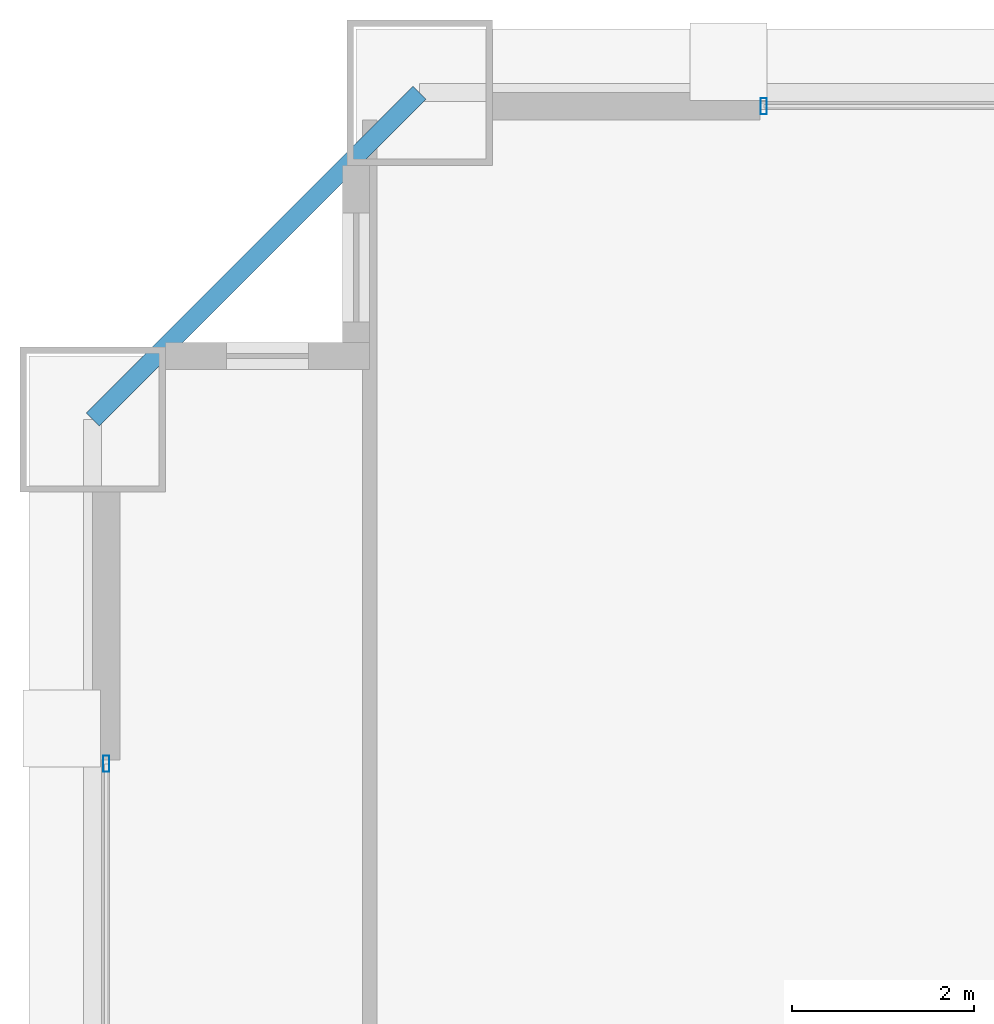
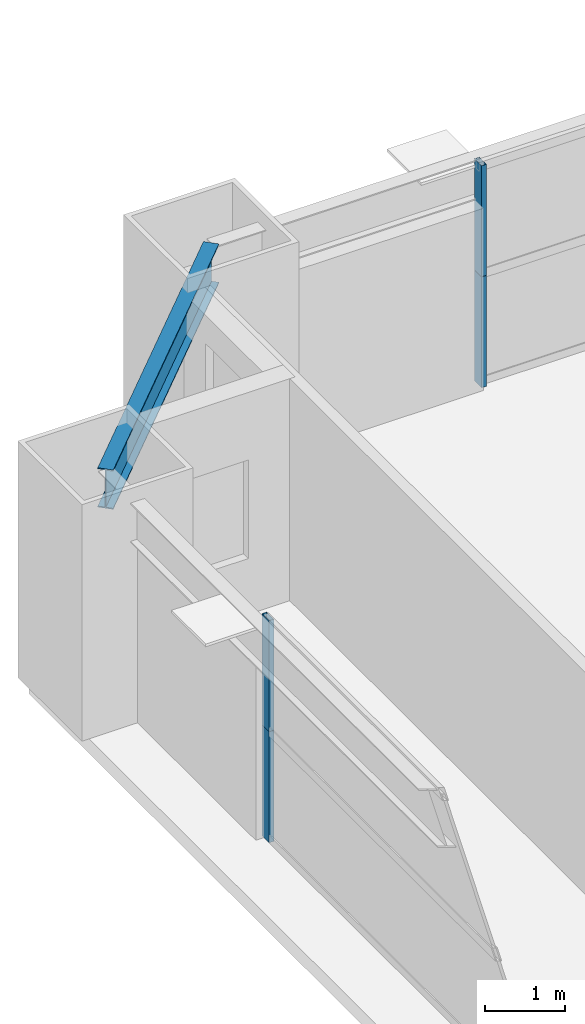
# One storey, part 23 of 39: 4 members, 1 beam, 2 elements without a shape of their own.
"""IFC4 building model written with IfcOpenShell, lengths in metres."""

import ifcopenshell
import ifcopenshell.guid

model = None  # the IFC model being written
_history = None  # IfcOwnerHistory: only IFC2X3 demands one
_inside = {}  # id of a spatial element -> (the spatial element, [elements in it])
_under = {}  # id of a project, library or spatial element -> (it, [spatial elements below it])
_declared = {}  # id of a project -> (the project, [libraries it declares])
_typed = {}  # id of a type object -> (the type object, [elements of that type])
_made_of = {}  # id of a material, layer set ... -> (it, [elements and type objects made of it])


def new_model(schema):
    """Start an empty IFC model of exactly this schema.

    Asked for "IFC4X3", IfcOpenShell would pick the latest addendum, in which some entities
    have other attributes; the version numbers below select the first issue.
    IFC2X3 requires an IfcOwnerHistory on every rooted entity: one is made here for all.
    """
    global model, _history
    if schema == "IFC4X3":
        model = ifcopenshell.file(schema_version=(4, 3, 0, 0))
    else:
        model = ifcopenshell.file(schema=schema)
    _inside.clear()
    _under.clear()
    _declared.clear()
    _typed.clear()
    _made_of.clear()
    _history = None
    if model.schema == "IFC2X3":
        org = make("IfcOrganization", Name="unknown")
        user = make(
            "IfcPersonAndOrganization",
            ThePerson=make("IfcPerson", FamilyName="unknown"),
            TheOrganization=org,
        )
        app = make(
            "IfcApplication",
            ApplicationDeveloper=org,
            Version="unknown",
            ApplicationFullName="unknown",
            ApplicationIdentifier="unknown",
        )
        _history = make(
            "IfcOwnerHistory",
            OwningUser=user,
            OwningApplication=app,
            ChangeAction="ADDED",
            CreationDate=0,
        )
    return model


def make(cls, **values):
    """One entity of the class cls with the attributes given. An attribute that is None is left unset."""
    return model.create_entity(
        cls, **{name: value for name, value in values.items() if value is not None}
    )


def rooted(cls, **values):
    """An entity with a GlobalId (a new one), such as an element, a storey or a relation."""
    return make(cls, GlobalId=ifcopenshell.guid.new(), OwnerHistory=_history, **values)


def si_unit(unit_type, name, prefix=None):
    """IfcSIUnit, for example si_unit("LENGTHUNIT", "METRE", prefix="MILLI")."""
    return make("IfcSIUnit", UnitType=unit_type, Prefix=prefix, Name=name)


def assignment(units):
    """IfcUnitAssignment: the units of a project."""
    return None if units is None else make("IfcUnitAssignment", Units=units)


def point(xyz):
    """IfcCartesianPoint."""
    return None if xyz is None else make("IfcCartesianPoint", Coordinates=xyz)


def direction(xyz):
    """IfcDirection."""
    return None if xyz is None else make("IfcDirection", DirectionRatios=xyz)


def frame(location, z_axis=None, x_axis=None):
    """IfcAxis2Placement3D, a coordinate frame: its origin and axes. An axis left out is left unset."""
    return make(
        "IfcAxis2Placement3D",
        Location=point(location),
        Axis=direction(z_axis),
        RefDirection=direction(x_axis),
    )


def frame_2d(location, x_axis=None):
    """IfcAxis2Placement2D, a coordinate frame in the plane: its origin and x axis."""
    return make(
        "IfcAxis2Placement2D", Location=point(location), RefDirection=direction(x_axis)
    )


def origin():
    """The frame at (0, 0, 0) with its axes left unset."""
    return frame((0.0, 0.0, 0.0))


def origin_2d():
    """The frame at (0, 0) in the plane with its x axis left unset."""
    return frame_2d((0.0, 0.0))


def place(relative_to, where):
    """IfcLocalPlacement: puts the frame where relative to a parent placement (None: the world)."""
    return make(
        "IfcLocalPlacement", PlacementRelTo=relative_to, RelativePlacement=where
    )


def context(
    kind, dimensions, precision=None, world=None, true_north=None, identifier=None
):
    """IfcGeometricRepresentationContext, for example the 3D "Model" context."""
    return make(
        "IfcGeometricRepresentationContext",
        ContextIdentifier=identifier,
        ContextType=kind,
        CoordinateSpaceDimension=dimensions,
        Precision=precision,
        WorldCoordinateSystem=world,
        TrueNorth=true_north,
    )


def subcontext(parent, identifier, kind, view, scale=None):
    """IfcGeometricRepresentationSubContext, for example "Body" below "Model"."""
    return make(
        "IfcGeometricRepresentationSubContext",
        ContextIdentifier=identifier,
        ContextType=kind,
        ParentContext=parent,
        TargetScale=scale,
        TargetView=view,
    )


def project(units=None, contexts=None):
    """IfcProject with its units and contexts."""
    return rooted(
        "IfcProject",
        Name="project",
        RepresentationContexts=contexts,
        UnitsInContext=assignment(units),
    )


def spatial(cls, under=None, at=None, **own):
    """A site, building, storey or space (cls), placed at a placement, below another one or the project."""
    s = rooted(cls, ObjectPlacement=at, **own)
    if under is not None:
        _under.setdefault(under.id(), (under, []))[1].append(s)
    return s


def profile(cls, at=None, kind="AREA", **sizes):
    """A parametric profile (cls). Its sizes go by their IFC names, for example OverallWidth=200.0."""
    return make(cls, ProfileType=kind, Position=at, **sizes)


def hollow_rectangle(**sizes):
    """IfcRectangleHollowProfileDef."""
    return profile("IfcRectangleHollowProfileDef", **sizes)


def i_section(**sizes):
    """IfcIShapeProfileDef."""
    return profile("IfcIShapeProfileDef", **sizes)


def extrude(swept, where, along, depth):
    """IfcExtrudedAreaSolid: the profile swept, set in the frame where, extruded along a direction by depth."""
    return make(
        "IfcExtrudedAreaSolid",
        SweptArea=swept,
        Position=where,
        ExtrudedDirection=direction(along),
        Depth=depth,
    )


def shape(context_of_items, identifier, shape_type, items):
    """IfcShapeRepresentation: the items that make up one representation, for example the "Body"."""
    return make(
        "IfcShapeRepresentation",
        ContextOfItems=context_of_items,
        RepresentationIdentifier=identifier,
        RepresentationType=shape_type,
        Items=items,
    )


def source(mapping_origin, context_of_items, identifier, shape_type, items):
    """IfcRepresentationMap: a shape defined once, which mapped items show again and again."""
    return make(
        "IfcRepresentationMap",
        MappingOrigin=mapping_origin,
        MappedRepresentation=shape(context_of_items, identifier, shape_type, items),
    )


def transform(
    local_origin,
    x_axis=None,
    y_axis=None,
    z_axis=None,
    scale=None,
    scale2=None,
    scale3=None,
    uniform=True,
):
    """IfcCartesianTransformationOperator3D, or its non-uniform kind. x_axis, y_axis, z_axis: its Axis1, 2, 3."""
    if uniform:
        return make(
            "IfcCartesianTransformationOperator3D",
            Axis1=direction(x_axis),
            Axis2=direction(y_axis),
            LocalOrigin=point(local_origin),
            Scale=scale,
            Axis3=direction(z_axis),
        )
    return make(
        "IfcCartesianTransformationOperator3DnonUniform",
        Axis1=direction(x_axis),
        Axis2=direction(y_axis),
        LocalOrigin=point(local_origin),
        Scale=scale,
        Axis3=direction(z_axis),
        Scale2=scale2,
        Scale3=scale3,
    )


def mapped(mapping_source, mapping_target):
    """IfcMappedItem: shows the shape of a source again, moved by a transform."""
    return make(
        "IfcMappedItem", MappingSource=mapping_source, MappingTarget=mapping_target
    )


def material(Name=None, Category=None):
    """IfcMaterial."""
    return make("IfcMaterial", Name=Name, Category=Category)


def layer(
    of_material, thickness, ventilated=None, Name=None, Category=None, Priority=None
):
    """IfcMaterialLayer: one layer of a wall or slab, of a material (None: an air gap)."""
    return make(
        "IfcMaterialLayer",
        Material=of_material,
        LayerThickness=thickness,
        IsVentilated=ventilated,
        Name=Name,
        Category=Category,
        Priority=Priority,
    )


def layer_set(layers, Name=None):
    """IfcMaterialLayerSet."""
    return make("IfcMaterialLayerSet", MaterialLayers=layers, LayerSetName=Name)


def material_profile(
    of_material, cross_section, Name=None, Category=None, Priority=None
):
    """IfcMaterialProfile: a cross section and its material."""
    return make(
        "IfcMaterialProfile",
        Name=Name,
        Material=of_material,
        Profile=cross_section,
        Priority=Priority,
        Category=Category,
    )


def profile_set(profiles, Name=None, composite=None):
    """IfcMaterialProfileSet."""
    return make(
        "IfcMaterialProfileSet",
        Name=Name,
        MaterialProfiles=profiles,
        CompositeProfile=composite,
    )


def made_of(thing, what):
    """Note that an element or type object is made of a material, layer set ...; save() writes the relation."""
    if what is not None:
        _made_of.setdefault(what.id(), (what, []))[1].append(thing)
    return thing


def type_object(cls, material=None, **own):
    """A type object (cls), such as IfcWallType, which elements share."""
    return made_of(rooted(cls, **own), material)


def element(
    cls,
    number,
    at=None,
    inside=None,
    cuts=None,
    type_object=None,
    material=None,
    context=None,
    identifier="Body",
    shape_type=None,
    held_by="IfcProductDefinitionShape",
    body=None,
    shapes=None,
    **own,
):
    """One element of the class cls, such as IfcWall. Its Tag is "e" and its number.

    at: its placement. inside: the storey or other place that contains it. cuts: it is an
    opening in that element (IfcRelVoidsElement). A single representation is given by context,
    identifier, shape_type and body (its items); several are given by shapes. held_by: the class
    of the entity that holds the representations. save() writes the other relations.
    """
    e = rooted(cls, Tag="e%d" % number, ObjectPlacement=at, **own)
    if body is not None:
        shapes = [shape(context, identifier, shape_type, body)]
    if shapes is not None:
        e.Representation = make(held_by, Representations=shapes)
    if inside is not None:
        _inside.setdefault(inside.id(), (inside, []))[1].append(e)
    if cuts is not None:
        rooted(
            "IfcRelVoidsElement", RelatingBuildingElement=cuts, RelatedOpeningElement=e
        )
    if type_object is not None:
        _typed.setdefault(type_object.id(), (type_object, []))[1].append(e)
    return made_of(e, material)


def aggregate(whole, parts):
    """IfcRelAggregates: a whole, such as a stair, and the parts it consists of."""
    return rooted("IfcRelAggregates", RelatingObject=whole, RelatedObjects=parts)


def save(model, path):
    """Write the relations noted so far, then the file.

    IfcRelAggregates (storeys below a building ...), IfcRelContainedInSpatialStructure (elements
    in a storey), IfcRelDefinesByType, IfcRelAssociatesMaterial and IfcRelDeclares: one each for
    every whole, place, type object, material and project.
    """
    for whole, parts in _under.values():
        aggregate(whole, parts)
    for where, things in _inside.values():
        rooted(
            "IfcRelContainedInSpatialStructure",
            RelatedElements=things,
            RelatingStructure=where,
        )
    for kind, things in _typed.values():
        rooted("IfcRelDefinesByType", RelatedObjects=things, RelatingType=kind)
    for what, things in _made_of.values():
        rooted("IfcRelAssociatesMaterial", RelatedObjects=things, RelatingMaterial=what)
    for by, libraries in _declared.values():
        rooted("IfcRelDeclares", RelatingContext=by, RelatedDefinitions=libraries)
    model.write(path)


model = new_model("IFC4")

# Units and contexts
model_context = context("Model", 3, precision=1e-05, world=origin(), true_north=direction((0.0, 1.0)))
body_context = subcontext(model_context, "Body", "Model", "MODEL_VIEW")
ifc_project = project(units=[si_unit("LENGTHUNIT", "METRE"), si_unit("AREAUNIT", "SQUARE_METRE"), si_unit("VOLUMEUNIT", "CUBIC_METRE"), si_unit("PLANEANGLEUNIT", "RADIAN"), si_unit("MASSUNIT", "GRAM", prefix="KILO"), si_unit("THERMODYNAMICTEMPERATUREUNIT", "KELVIN"), si_unit("POWERUNIT", "WATT")], contexts=[model_context])

# Site, building, storey
site_placement = place(None, origin())
site = spatial("IfcSite", under=ifc_project, at=site_placement, CompositionType="ELEMENT")
building_placement = place(site_placement, origin())
building = spatial("IfcBuilding", under=site, at=building_placement, Name="Yuzanri Waterfront Tower", CompositionType="ELEMENT")
storey_placement = place(building_placement, frame((0.0, 0.0, 148.800048828125)))
storey = spatial("IfcBuildingStorey", under=building, at=storey_placement, Name="L39", CompositionType="ELEMENT", Elevation=148.800048828125)

# Beam
ifc_material_1 = material(Name="Steel Q355B", Category="steel")
ifc_material_profile_1 = material_profile(ifc_material_1, i_section(OverallWidth=0.199951171875, OverallDepth=0.60009765625, WebThickness=0.010986328125, FlangeThickness=0.01708984375, at=origin_2d()), Name="HN 600x200x11x17")
ifc_profile_set_1 = profile_set([ifc_material_profile_1], Name="Steel Q355B")
beam_type = type_object("IfcBeamType", Name="Perimeter Spandrel Q355B HN 600x200", PredefinedType="SPANDREL", material=ifc_profile_set_1)
shared_shape_1 = source(origin(), body_context, "Body", "SweptSolid", [
    extrude(i_section(OverallWidth=0.199951171875, OverallDepth=0.60009765625, WebThickness=0.010986328125, FlangeThickness=0.01708984375, at=origin_2d()), origin(), (0.0, 0.0, 1.0), 5.091064453125),
])
beam_placement = place(storey_placement, frame((17.0, 49.39990234375, 3.079833984375), z_axis=(-0.707130757816, -0.707082803744, 0.0), x_axis=(0.707082803744, -0.707130757816, 0.0)))
element("IfcBeam", 1, at=beam_placement, inside=storey, type_object=beam_type, Name="L39 Perimeter Spandrel N1-W3", PredefinedType="SPANDREL", context=body_context, shape_type="MappedRepresentation", body=[
    mapped(shared_shape_1, transform((0.0, 0.0, 0.0), scale=1.0)),
])

# Curtain wall, members
ifc_material_2 = material(Name="Anodized Architectural Bronze", Category="metal")
ifc_layer = layer(ifc_material_2, 0.159912109375)
ifc_layer_set = layer_set([ifc_layer], Name="Anodized Architectural Bronze")
curtain_wall_type = type_object("IfcCurtainWallType", Name="Anodized Bronze Hotel Upper-Tier Solar-Control Unitized Curtain Wall 7800", PredefinedType="NOTDEFINED", material=ifc_layer_set)
curtain_wall_1_placement = place(storey_placement, origin())
curtain_wall_1 = element("IfcCurtainWall", 2, at=curtain_wall_1_placement, inside=storey, type_object=curtain_wall_type, Name="L39 Curtain Wall CW-L39-NL", PredefinedType="NOTDEFINED")
ifc_material_3 = material(Name="Anodized Architectural Bronze", Category="metal")
ifc_material_profile_2 = material_profile(ifc_material_3, hollow_rectangle(XDim=0.070068359375, YDim=0.179931640625, WallThickness=0.00390625, at=origin_2d()), Name="CWM 70x180")
ifc_profile_set_2 = profile_set([ifc_material_profile_2], Name="Anodized Architectural Bronze")
member_type = type_object("IfcMemberType", Name="Anodized Bronze Standard Curtain-Wall Mullion 70x180", PredefinedType="MULLION", material=ifc_profile_set_2)
shared_shape_2 = source(origin(), body_context, "Body", "SweptSolid", [
    extrude(hollow_rectangle(XDim=0.070068359375, YDim=0.179931640625, WallThickness=0.00390625, at=origin_2d()), origin(), (0.0, 0.0, 1.0), 1.68798828125),
])
member_1_placement = place(storey_placement, frame((20.7900390625, 49.25, 0.0), z_axis=(0.0, 0.0, 1.0), x_axis=(1.0, 0.0, 0.0)))
member_1 = element("IfcMember", 3, at=member_1_placement, type_object=member_type, Name="CW-L39-NL Lower Mullion 00", PredefinedType="MULLION", context=body_context, shape_type="MappedRepresentation", body=[
    mapped(shared_shape_2, transform((0.0, 0.0, 0.0), scale=1.0)),
])
member_2_placement = place(storey_placement, frame((20.7900390625, 49.25, 1.69189453125), z_axis=(0.0, 0.0, 1.0), x_axis=(1.0, 0.0, 0.0)))
member_2 = element("IfcMember", 4, at=member_2_placement, type_object=member_type, Name="CW-L39-NL Upper Mullion 00", PredefinedType="MULLION", context=body_context, shape_type="MappedRepresentation", body=[
    mapped(shared_shape_2, transform((0.0, 0.0, 0.0), scale=1.0)),
])
aggregate(curtain_wall_1, [member_1, member_2])

curtain_wall_2_placement = place(storey_placement, origin())
curtain_wall_2 = element("IfcCurtainWall", 5, at=curtain_wall_2_placement, inside=storey, type_object=curtain_wall_type, Name="L39 Curtain Wall CW-L39-WR", PredefinedType="NOTDEFINED")
member_3_placement = place(storey_placement, frame((13.550048828125, 42.010009765625, 0.0), z_axis=(0.0, 0.0, 1.0), x_axis=(1.0, 0.0, 0.0)))
member_3 = element("IfcMember", 6, at=member_3_placement, type_object=member_type, Name="CW-L39-WR Lower Mullion 02", PredefinedType="MULLION", context=body_context, shape_type="MappedRepresentation", body=[
    mapped(shared_shape_2, transform((0.0, 0.0, 0.0), scale=1.0)),
])
member_4_placement = place(storey_placement, frame((13.550048828125, 42.010009765625, 1.69189453125), z_axis=(0.0, 0.0, 1.0), x_axis=(1.0, 0.0, 0.0)))
member_4 = element("IfcMember", 7, at=member_4_placement, type_object=member_type, Name="CW-L39-WR Upper Mullion 02", PredefinedType="MULLION", context=body_context, shape_type="MappedRepresentation", body=[
    mapped(shared_shape_2, transform((0.0, 0.0, 0.0), scale=1.0)),
])
aggregate(curtain_wall_2, [member_3, member_4])

save(model, "model.ifc")
